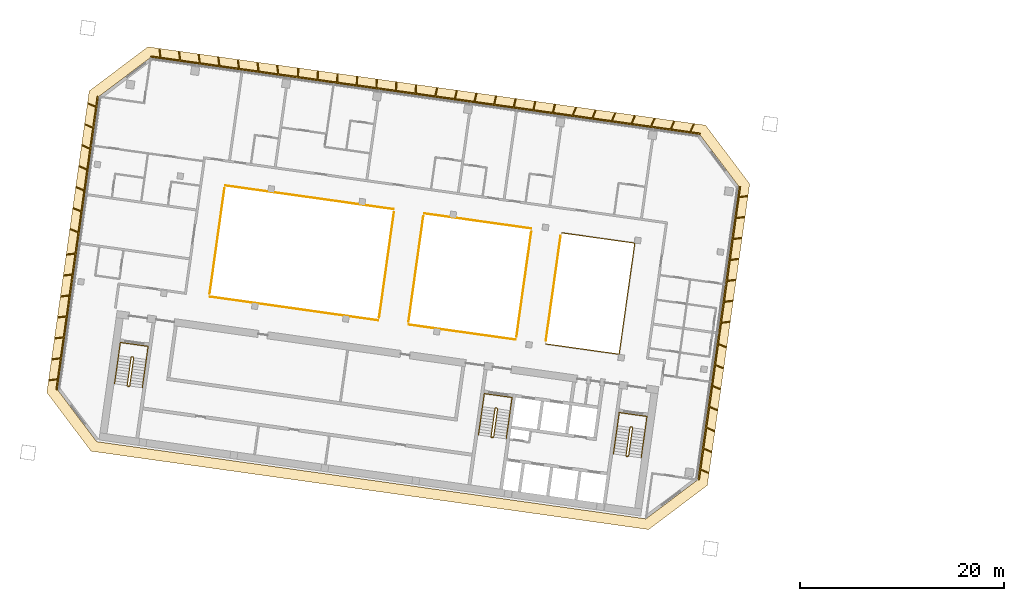
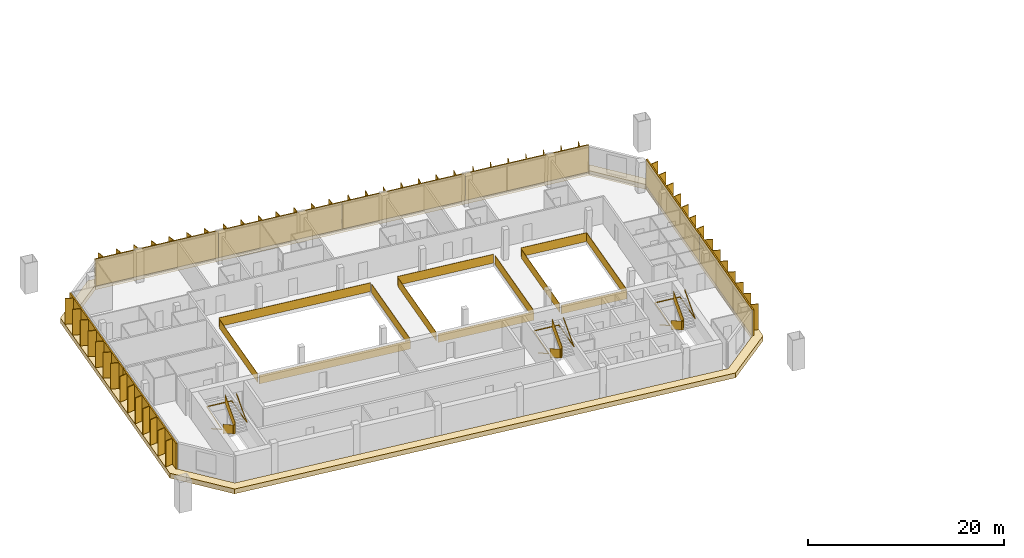
# One storey, part 25 of 26: 16 railings, 8 shading devices, 1 covering.
"""IFC4 building model written with IfcOpenShell, lengths in metres."""

from ifc_helpers import new_model, si_unit, direction, frame, origin, origin_2d, place, context, subcontext, project, spatial, polyline, rectangle, outline, extrude, material, layer, layer_set, type_object, element, save


model = new_model("IFC4")

# Units and contexts
model_context = context("Model", 3, precision=1e-05, world=origin(), true_north=direction((0.0, 1.0)))
body_context = subcontext(model_context, "Body", "Model", "MODEL_VIEW")
ifc_project = project(units=[si_unit("LENGTHUNIT", "METRE"), si_unit("AREAUNIT", "SQUARE_METRE"), si_unit("VOLUMEUNIT", "CUBIC_METRE"), si_unit("PLANEANGLEUNIT", "RADIAN"), si_unit("MASSUNIT", "GRAM", prefix="KILO")], contexts=[model_context])

# Site, building, storey
site_placement = place(None, origin())
site = spatial("IfcSite", under=ifc_project, at=site_placement, CompositionType="ELEMENT")
building_placement = place(site_placement, origin())
building = spatial("IfcBuilding", under=site, at=building_placement, Name="Mirante Cascada Hotel Towers", CompositionType="ELEMENT")
storey_placement = place(building_placement, frame((0.0, 0.0, 168.8)))
storey = spatial("IfcBuildingStorey", under=building, at=storey_placement, Name="L39", CompositionType="ELEMENT", Elevation=168.8)

# Railings
ifc_material_1 = material(Name="Toughened glass with stainless steel handrail", Category="steel")
railing_type_1 = type_object("IfcRailingType", Name="Atrium guard 1100 glass balustrade", PredefinedType="GUARDRAIL", material=ifc_material_1)
railing_1_placement = place(storey_placement, frame((-45.0309, 7.7871, 0.0)))
element("IfcRailing", 1, at=railing_1_placement, inside=storey, type_object=railing_type_1, Name="GUARD 1-L39-1", PredefinedType="GUARDRAIL", context=body_context, shape_type="SweptSolid", body=[
    extrude(rectangle(XDim=0.048, YDim=0.048, at=origin_2d()), frame((0.0, 0.0, 1.076), z_axis=(0.990269, -0.1391665, 0.0), x_axis=(0.1391665, 0.990269, 0.0)), (0.0, 0.0, 1.0), 7.2467),
    extrude(rectangle(XDim=0.02, YDim=1.052, at=origin_2d()), frame((0.0, 0.0, 0.526), z_axis=(0.990269, -0.1391665, 0.0), x_axis=(0.1391665, 0.990269, 0.0)), (0.0, 0.0, 1.0), 7.2467),
    extrude(rectangle(XDim=0.048, YDim=0.048, at=origin_2d()), frame((7.1762, -1.0085, 1.076), z_axis=(-0.1391721, -0.9902682, 0.0), x_axis=(0.9902682, -0.1391721, 0.0)), (0.0, 0.0, 1.0), 11.0001),
    extrude(rectangle(XDim=0.02, YDim=1.052, at=origin_2d()), frame((7.1762, -1.0085, 0.526), z_axis=(-0.1391721, -0.9902682, 0.0), x_axis=(0.9902682, -0.1391721, 0.0)), (0.0, 0.0, 1.0), 11.0001),
    extrude(rectangle(XDim=0.048, YDim=0.048, at=origin_2d()), frame((5.6453, -11.9015, 1.076), z_axis=(-0.9902671, 0.13918, 0.0), x_axis=(-0.13918, -0.9902671, 0.0)), (0.0, 0.0, 1.0), 7.2467),
    extrude(rectangle(XDim=0.02, YDim=1.052, at=origin_2d()), frame((5.6453, -11.9015, 0.526), z_axis=(-0.9902671, 0.13918, 0.0), x_axis=(-0.13918, -0.9902671, 0.0)), (0.0, 0.0, 1.0), 7.2467),
])
railing_2_placement = place(storey_placement, frame((-49.5326, -2.6883, 0.0)))
element("IfcRailing", 2, at=railing_2_placement, inside=storey, type_object=railing_type_1, Name="GUARD 1-L39-2", PredefinedType="GUARDRAIL", context=body_context, shape_type="SweptSolid", body=[
    extrude(rectangle(XDim=0.048, YDim=0.048, at=origin_2d()), frame((0.0, 0.0, 1.076), z_axis=(-0.9902676, 0.1391764, 0.0), x_axis=(-0.1391764, -0.9902676, 0.0)), (0.0, 0.0, 1.0), 10.5844),
    extrude(rectangle(XDim=0.02, YDim=1.052, at=origin_2d()), frame((0.0, 0.0, 0.526), z_axis=(-0.9902676, 0.1391764, 0.0), x_axis=(-0.1391764, -0.9902676, 0.0)), (0.0, 0.0, 1.0), 10.5844),
])
railing_3_placement = place(storey_placement, frame((-58.4831, 9.6777, 0.0)))
element("IfcRailing", 3, at=railing_3_placement, inside=storey, type_object=railing_type_1, Name="GUARD 1-L39-3", PredefinedType="GUARDRAIL", context=body_context, shape_type="SweptSolid", body=[
    extrude(rectangle(XDim=0.048, YDim=0.048, at=origin_2d()), frame((0.0, 0.0, 1.076), z_axis=(0.9902689, -0.1391671, 0.0), x_axis=(0.1391671, 0.9902689, 0.0)), (0.0, 0.0, 1.0), 10.5844),
    extrude(rectangle(XDim=0.02, YDim=1.052, at=origin_2d()), frame((0.0, 0.0, 0.526), z_axis=(0.9902689, -0.1391671, 0.0), x_axis=(0.1391671, 0.9902689, 0.0)), (0.0, 0.0, 1.0), 10.5844),
])
railing_4_placement = place(storey_placement, frame((-62.9849, -0.7977, 0.0)))
element("IfcRailing", 4, at=railing_4_placement, inside=storey, type_object=railing_type_1, Name="GUARD 1-L39-4", PredefinedType="GUARDRAIL", context=body_context, shape_type="SweptSolid", body=[
    extrude(rectangle(XDim=0.048, YDim=0.048, at=origin_2d()), frame((0.0, 0.0, 1.076), z_axis=(1.0, 0.0, 0.0), x_axis=(0.0, 1.0, 0.0)), (0.0, 0.0, 1.0), 0.0001),
    extrude(rectangle(XDim=0.02, YDim=1.052, at=origin_2d()), frame((0.0, 0.0, 0.526), z_axis=(1.0, 0.0, 0.0), x_axis=(0.0, 1.0, 0.0)), (0.0, 0.0, 1.0), 0.0001),
    extrude(rectangle(XDim=0.048, YDim=0.048, at=origin_2d()), frame((0.0001, 0.0, 1.076), z_axis=(-0.9902678, 0.1391751, 0.0), x_axis=(-0.1391751, -0.9902678, 0.0)), (0.0, 0.0, 1.0), 16.6689),
    extrude(rectangle(XDim=0.02, YDim=1.052, at=origin_2d()), frame((0.0001, 0.0, 0.526), z_axis=(-0.9902678, 0.1391751, 0.0), x_axis=(-0.1391751, -0.9902678, 0.0)), (0.0, 0.0, 1.0), 16.6689),
    extrude(rectangle(XDim=0.048, YDim=0.048, at=origin_2d()), frame((-16.5066, 2.3199, 1.076), z_axis=(0.9901262, -0.1401792, 0.0), x_axis=(0.1401792, 0.9901262, 0.0)), (0.0, 0.0, 1.0), 0.0564),
    extrude(rectangle(XDim=0.02, YDim=1.052, at=origin_2d()), frame((-16.5066, 2.3199, 0.526), z_axis=(0.9901262, -0.1401792, 0.0), x_axis=(0.1401792, 0.9901262, 0.0)), (0.0, 0.0, 1.0), 0.0564),
])
railing_5_placement = place(storey_placement, frame((-77.9048, 12.4073, 0.0)))
element("IfcRailing", 5, at=railing_5_placement, inside=storey, type_object=railing_type_1, Name="GUARD 1-L39-5", PredefinedType="GUARDRAIL", context=body_context, shape_type="SweptSolid", body=[
    extrude(rectangle(XDim=0.048, YDim=0.048, at=origin_2d()), frame((0.0, 0.0, 1.076), z_axis=(-0.990371, 0.138439, 0.0), x_axis=(-0.138439, -0.990371, 0.0)), (0.0, 0.0, 1.0), 0.0563),
    extrude(rectangle(XDim=0.02, YDim=1.052, at=origin_2d()), frame((0.0, 0.0, 0.526), z_axis=(-0.990371, 0.138439, 0.0), x_axis=(-0.138439, -0.990371, 0.0)), (0.0, 0.0, 1.0), 0.0563),
    extrude(rectangle(XDim=0.048, YDim=0.048, at=origin_2d()), frame((-0.0558, 0.0078, 1.076), z_axis=(0.9902686, -0.1391693, 0.0), x_axis=(0.1391693, 0.9902686, 0.0)), (0.0, 0.0, 1.0), 16.6689),
    extrude(rectangle(XDim=0.02, YDim=1.052, at=origin_2d()), frame((-0.0558, 0.0078, 0.526), z_axis=(0.9902686, -0.1391693, 0.0), x_axis=(0.1391693, 0.9902686, 0.0)), (0.0, 0.0, 1.0), 16.6689),
    extrude(rectangle(XDim=0.048, YDim=0.048, at=origin_2d()), frame((16.4509, -2.312, 1.076), z_axis=(-1.0, 0.0, 0.0), x_axis=(0.0, -1.0, 0.0)), (0.0, 0.0, 1.0), 0.0001),
    extrude(rectangle(XDim=0.02, YDim=1.052, at=origin_2d()), frame((16.4509, -2.312, 0.526), z_axis=(-1.0, 0.0, 0.0), x_axis=(0.0, -1.0, 0.0)), (0.0, 0.0, 1.0), 0.0001),
])
railing_6_placement = place(storey_placement, frame((-78.0512, 12.1295, 0.0)))
element("IfcRailing", 6, at=railing_6_placement, inside=storey, type_object=railing_type_1, Name="GUARD 1-L39-6", PredefinedType="GUARDRAIL", context=body_context, shape_type="SweptSolid", body=[
    extrude(rectangle(XDim=0.048, YDim=0.048, at=origin_2d()), frame((0.0, 0.0, 1.076), z_axis=(-0.1391762, -0.9902676, 0.0), x_axis=(0.9902676, -0.1391762, 0.0)), (0.0, 0.0, 1.0), 10.4091),
    extrude(rectangle(XDim=0.02, YDim=1.052, at=origin_2d()), frame((0.0, 0.0, 0.526), z_axis=(-0.1391762, -0.9902676, 0.0), x_axis=(0.9902676, -0.1391762, 0.0)), (0.0, 0.0, 1.0), 10.4091),
])
railing_7_placement = place(storey_placement, frame((-62.8951, -0.5118, 0.0)))
element("IfcRailing", 7, at=railing_7_placement, inside=storey, type_object=railing_type_1, Name="GUARD 1-L39-7", PredefinedType="GUARDRAIL", context=body_context, shape_type="SweptSolid", body=[
    extrude(rectangle(XDim=0.048, YDim=0.048, at=origin_2d()), frame((0.0, 0.0, 1.076), z_axis=(0.1391708, 0.9902684, 0.0), x_axis=(-0.9902684, 0.1391708, 0.0)), (0.0, 0.0, 1.0), 10.4088),
    extrude(rectangle(XDim=0.02, YDim=1.052, at=origin_2d()), frame((0.0, 0.0, 0.526), z_axis=(0.1391708, 0.9902684, 0.0), x_axis=(-0.9902684, 0.1391708, 0.0)), (0.0, 0.0, 1.0), 10.4088),
])
railing_8_placement = place(storey_placement, frame((-58.5728, 9.3918, 0.0)))
element("IfcRailing", 8, at=railing_8_placement, inside=storey, type_object=railing_type_1, Name="GUARD 1-L39-8", PredefinedType="GUARDRAIL", context=body_context, shape_type="SweptSolid", body=[
    extrude(rectangle(XDim=0.048, YDim=0.048, at=origin_2d()), frame((0.0, 0.0, 1.076), z_axis=(-0.1391721, -0.9902682, 0.0), x_axis=(0.9902682, -0.1391721, 0.0)), (0.0, 0.0, 1.0), 10.4087),
    extrude(rectangle(XDim=0.02, YDim=1.052, at=origin_2d()), frame((0.0, 0.0, 0.526), z_axis=(-0.1391721, -0.9902682, 0.0), x_axis=(0.9902682, -0.1391721, 0.0)), (0.0, 0.0, 1.0), 10.4087),
])
railing_9_placement = place(storey_placement, frame((-49.4429, -2.4023, 0.0)))
element("IfcRailing", 9, at=railing_9_placement, inside=storey, type_object=railing_type_1, Name="GUARD 1-L39-9", PredefinedType="GUARDRAIL", context=body_context, shape_type="SweptSolid", body=[
    extrude(rectangle(XDim=0.048, YDim=0.048, at=origin_2d()), frame((0.0, 0.0, 1.076), z_axis=(0.1391721, 0.9902682, 0.0), x_axis=(-0.9902682, 0.1391721, 0.0)), (0.0, 0.0, 1.0), 10.4087),
    extrude(rectangle(XDim=0.02, YDim=1.052, at=origin_2d()), frame((0.0, 0.0, 0.526), z_axis=(0.1391721, 0.9902682, 0.0), x_axis=(-0.9902682, 0.1391721, 0.0)), (0.0, 0.0, 1.0), 10.4087),
])
railing_10_placement = place(storey_placement, frame((-45.1206, 7.5012, 0.0)))
element("IfcRailing", 10, at=railing_10_placement, inside=storey, type_object=railing_type_1, Name="GUARD 1-L39-10", PredefinedType="GUARDRAIL", context=body_context, shape_type="SweptSolid", body=[
    extrude(rectangle(XDim=0.048, YDim=0.048, at=origin_2d()), frame((0.0, 0.0, 1.076), z_axis=(-0.1391721, -0.9902682, 0.0), x_axis=(0.9902682, -0.1391721, 0.0)), (0.0, 0.0, 1.0), 10.4087),
    extrude(rectangle(XDim=0.02, YDim=1.052, at=origin_2d()), frame((0.0, 0.0, 0.526), z_axis=(-0.1391721, -0.9902682, 0.0), x_axis=(0.9902682, -0.1391721, 0.0)), (0.0, 0.0, 1.0), 10.4087),
])

# Covering
ifc_material_2 = material(Name="Precast concrete C40/50 white", Category="concrete")
ifc_layer = layer(ifc_material_2, 0.6)
ifc_layer_set = layer_set([ifc_layer], Name="Precast concrete SUNSHADE band 1000x600")
covering_type = type_object("IfcCoveringType", Name="Precast concrete SUNSHADE band 1000x600", PredefinedType="CLADDING", material=ifc_layer_set)
covering_placement = place(storey_placement, frame((0.0, 0.0, -0.45)))
element("IfcCovering", 11, at=covering_placement, inside=storey, type_object=covering_type, Name="Precast concrete SUNSHADE band T1 L39", PredefinedType="CLADDING", context=body_context, shape_type="SweptSolid", body=[
    extrude(outline(polyline([(-95.4528, -7.862), (-91.3015, 21.6761), (-85.5574, 26.0046), (-30.9282, 18.327), (-26.5997, 12.5829), (-30.751, -16.9552), (-36.4951, -21.2837), (-91.1243, -13.6061), (-95.4528, -7.862)]), holes=[polyline([(-27.6476, 12.3119), (-31.4775, 17.3944), (-85.2864, 24.9567), (-90.3689, 21.1268), (-94.4049, -7.591), (-90.575, -12.6735), (-36.7661, -20.2358), (-31.6836, -16.4059), (-27.6476, 12.3119)])]), origin(), (0.0, 0.0, 1.0), 0.6),
])

# Railings
ifc_material_3 = material(Name="Painted steel", Category="steel")
railing_type_2 = type_object("IfcRailingType", Name="Stair guard 1100 steel balustrade", PredefinedType="GUARDRAIL", material=ifc_material_3)
railing_11_placement = place(storey_placement, frame((-38.1178, -11.2603, 0.0)))
element("IfcRailing", 12, at=railing_11_placement, inside=storey, type_object=railing_type_2, Name="L39 ST1-A stair guard 1", PredefinedType="GUARDRAIL", context=body_context, shape_type="SweptSolid", body=[
    extrude(rectangle(XDim=0.048, YDim=0.048, at=origin_2d()), frame((0.0, 0.0, 1.076), z_axis=(-0.9903326, 0.1387133, 0.0), x_axis=(-0.1387133, -0.9903326, 0.0)), (0.0, 0.0, 1.0), 0.1499),
    extrude(rectangle(XDim=0.02, YDim=1.052, at=origin_2d()), frame((0.0, 0.0, 0.526), z_axis=(-0.9903326, 0.1387133, 0.0), x_axis=(-0.1387133, -0.9903326, 0.0)), (0.0, 0.0, 1.0), 0.1499),
    extrude(rectangle(XDim=0.048, YDim=0.048, at=origin_2d()), frame((-0.1485, 0.0208, 1.076), z_axis=(-0.7991505, -0.6011309, 0.0), x_axis=(0.6011309, -0.7991505, 0.0)), (0.0, 0.9254529, 0.3788627), 0.1866),
    extrude(rectangle(XDim=0.02, YDim=1.052, at=origin_2d()), frame((-0.1485, 0.0208, 0.526), z_axis=(-0.7991505, -0.6011309, 0.0), x_axis=(0.6011309, -0.7991505, 0.0)), (0.0, 0.9254529, 0.3788627), 0.1866),
    extrude(rectangle(XDim=0.048, YDim=0.048, at=origin_2d()), frame((-0.205, -0.0217, 1.2487), z_axis=(-0.139176, -0.9902677, 0.0), x_axis=(0.9902677, -0.139176, 0.0)), (0.0, 0.5250212, 0.8510891), 3.29),
    extrude(rectangle(XDim=0.02, YDim=1.052, at=origin_2d()), frame((-0.205, -0.0217, 0.6987), z_axis=(-0.139176, -0.9902677, 0.0), x_axis=(0.9902677, -0.139176, 0.0)), (0.0, 0.5250212, 0.8510891), 3.29),
    extrude(rectangle(XDim=0.048, YDim=0.048, at=origin_2d()), frame((-0.5947, -2.7945, 2.976), z_axis=(0.9270311, -0.3749843, 0.0), x_axis=(0.3749843, 0.9270311, 0.0)), (0.0, 0.0, 1.0), 0.2061),
    extrude(rectangle(XDim=0.02, YDim=1.052, at=origin_2d()), frame((-0.5947, -2.7945, 2.426), z_axis=(0.9270311, -0.3749843, 0.0), x_axis=(0.3749843, 0.9270311, 0.0)), (0.0, 0.0, 1.0), 0.2061),
    extrude(rectangle(XDim=0.048, YDim=0.048, at=origin_2d()), frame((-0.4036, -2.8718, 2.976), z_axis=(-0.9902408, 0.1393672, 0.0), x_axis=(-0.1393672, -0.9902408, 0.0)), (0.0, 0.0, 1.0), 0.15),
    extrude(rectangle(XDim=0.02, YDim=1.052, at=origin_2d()), frame((-0.4036, -2.8718, 2.426), z_axis=(-0.9902408, 0.1393672, 0.0), x_axis=(-0.1393672, -0.9902408, 0.0)), (0.0, 0.0, 1.0), 0.15),
    extrude(rectangle(XDim=0.048, YDim=0.048, at=origin_2d()), frame((-0.5521, -2.8509, 2.976), z_axis=(0.9944948, 0.1047858, 0.0), x_axis=(-0.1047858, 0.9944948, 0.0)), (0.0, 0.6422034, 0.7665343), 0.2689),
    extrude(rectangle(XDim=0.02, YDim=1.052, at=origin_2d()), frame((-0.5521, -2.8509, 2.426), z_axis=(0.9944948, 0.1047858, 0.0), x_axis=(-0.1047858, 0.9944948, 0.0)), (0.0, 0.6422034, 0.7665343), 0.2689),
    extrude(rectangle(XDim=0.048, YDim=0.048, at=origin_2d()), frame((-0.3471, -2.8293, 3.1487), z_axis=(0.139176, 0.9902677, 0.0), x_axis=(-0.9902677, 0.139176, 0.0)), (0.0, 0.5250212, 0.8510891), 3.29),
    extrude(rectangle(XDim=0.02, YDim=1.052, at=origin_2d()), frame((-0.3471, -2.8293, 2.5987), z_axis=(0.139176, 0.9902677, 0.0), x_axis=(-0.9902677, 0.139176, 0.0)), (0.0, 0.5250212, 0.8510891), 3.29),
])
railing_12_placement = place(storey_placement, frame((-51.3379, -9.4024, 0.0)))
element("IfcRailing", 13, at=railing_12_placement, inside=storey, type_object=railing_type_2, Name="L39 ST1-B stair guard 1", PredefinedType="GUARDRAIL", context=body_context, shape_type="SweptSolid", body=[
    extrude(rectangle(XDim=0.048, YDim=0.048, at=origin_2d()), frame((0.0, 0.0, 1.076), z_axis=(-0.9902408, 0.1393672, 0.0), x_axis=(-0.1393672, -0.9902408, 0.0)), (0.0, 0.0, 1.0), 0.15),
    extrude(rectangle(XDim=0.02, YDim=1.052, at=origin_2d()), frame((0.0, 0.0, 0.526), z_axis=(-0.9902408, 0.1393672, 0.0), x_axis=(-0.1393672, -0.9902408, 0.0)), (0.0, 0.0, 1.0), 0.15),
    extrude(rectangle(XDim=0.048, YDim=0.048, at=origin_2d()), frame((-0.1485, 0.0209, 1.076), z_axis=(-0.7984711, -0.6020331, 0.0), x_axis=(0.6020331, -0.7984711, 0.0)), (0.0, 0.9253398, 0.3791387), 0.1866),
    extrude(rectangle(XDim=0.02, YDim=1.052, at=origin_2d()), frame((-0.1485, 0.0209, 0.526), z_axis=(-0.7984711, -0.6020331, 0.0), x_axis=(0.6020331, -0.7984711, 0.0)), (0.0, 0.9253398, 0.3791387), 0.1866),
    extrude(rectangle(XDim=0.048, YDim=0.048, at=origin_2d()), frame((-0.205, -0.0217, 1.2487), z_axis=(-0.139181, -0.990267, 0.0), x_axis=(0.990267, -0.139181, 0.0)), (0.0, 0.5250347, 0.8510808), 3.2899),
    extrude(rectangle(XDim=0.02, YDim=1.052, at=origin_2d()), frame((-0.205, -0.0217, 0.6987), z_axis=(-0.139181, -0.990267, 0.0), x_axis=(0.990267, -0.139181, 0.0)), (0.0, 0.5250347, 0.8510808), 3.2899),
    extrude(rectangle(XDim=0.048, YDim=0.048, at=origin_2d()), frame((-0.5947, -2.7944, 2.976), z_axis=(0.9268624, -0.3754011, 0.0), x_axis=(0.3754011, 0.9268624, 0.0)), (0.0, 0.0, 1.0), 0.2062),
    extrude(rectangle(XDim=0.02, YDim=1.052, at=origin_2d()), frame((-0.5947, -2.7944, 2.426), z_axis=(0.9268624, -0.3754011, 0.0), x_axis=(0.3754011, 0.9268624, 0.0)), (0.0, 0.0, 1.0), 0.2062),
    extrude(rectangle(XDim=0.048, YDim=0.048, at=origin_2d()), frame((-0.4036, -2.8718, 2.976), z_axis=(-0.9902408, 0.1393672, 0.0), x_axis=(-0.1393672, -0.9902408, 0.0)), (0.0, 0.0, 1.0), 0.15),
    extrude(rectangle(XDim=0.02, YDim=1.052, at=origin_2d()), frame((-0.4036, -2.8718, 2.426), z_axis=(-0.9902408, 0.1393672, 0.0), x_axis=(-0.1393672, -0.9902408, 0.0)), (0.0, 0.0, 1.0), 0.15),
    extrude(rectangle(XDim=0.048, YDim=0.048, at=origin_2d()), frame((-0.5521, -2.8509, 2.976), z_axis=(0.9944441, 0.1052656, 0.0), x_axis=(-0.1052656, 0.9944441, 0.0)), (0.0, 0.6421842, 0.7665504), 0.2689),
    extrude(rectangle(XDim=0.02, YDim=1.052, at=origin_2d()), frame((-0.5521, -2.8509, 2.426), z_axis=(0.9944441, 0.1052656, 0.0), x_axis=(-0.1052656, 0.9944441, 0.0)), (0.0, 0.6421842, 0.7665504), 0.2689),
    extrude(rectangle(XDim=0.048, YDim=0.048, at=origin_2d()), frame((-0.3471, -2.8292, 3.1487), z_axis=(0.139181, 0.990267, 0.0), x_axis=(-0.990267, 0.139181, 0.0)), (0.0, 0.5250347, 0.8510808), 3.2899),
    extrude(rectangle(XDim=0.02, YDim=1.052, at=origin_2d()), frame((-0.3471, -2.8292, 2.5987), z_axis=(0.139181, 0.990267, 0.0), x_axis=(-0.990267, 0.139181, 0.0)), (0.0, 0.5250347, 0.8510808), 3.2899),
])
railing_13_placement = place(storey_placement, frame((-86.9875, -4.3922, 0.0)))
element("IfcRailing", 14, at=railing_13_placement, inside=storey, type_object=railing_type_2, Name="L39 ST1-C stair guard 1", PredefinedType="GUARDRAIL", context=body_context, shape_type="SweptSolid", body=[
    extrude(rectangle(XDim=0.048, YDim=0.048, at=origin_2d()), frame((0.0, 0.0, 1.076), z_axis=(-0.9902537, 0.1392753, 0.0), x_axis=(-0.1392753, -0.9902537, 0.0)), (0.0, 0.0, 1.0), 0.1501),
    extrude(rectangle(XDim=0.02, YDim=1.052, at=origin_2d()), frame((0.0, 0.0, 0.526), z_axis=(-0.9902537, 0.1392753, 0.0), x_axis=(-0.1392753, -0.9902537, 0.0)), (0.0, 0.0, 1.0), 0.1501),
    extrude(rectangle(XDim=0.048, YDim=0.048, at=origin_2d()), frame((-0.1486, 0.0209, 1.076), z_axis=(-0.7986386, -0.601811, 0.0), x_axis=(0.601811, -0.7986386, 0.0)), (0.0, 0.925603, 0.3784959), 0.1866),
    extrude(rectangle(XDim=0.02, YDim=1.052, at=origin_2d()), frame((-0.1486, 0.0209, 0.526), z_axis=(-0.7986386, -0.601811, 0.0), x_axis=(0.601811, -0.7986386, 0.0)), (0.0, 0.925603, 0.3784959), 0.1866),
    extrude(rectangle(XDim=0.048, YDim=0.048, at=origin_2d()), frame((-0.205, -0.0216, 1.2487), z_axis=(-0.139176, -0.9902677, 0.0), x_axis=(0.9902677, -0.139176, 0.0)), (0.0, 0.5250212, 0.8510891), 3.29),
    extrude(rectangle(XDim=0.02, YDim=1.052, at=origin_2d()), frame((-0.205, -0.0216, 0.6987), z_axis=(-0.139176, -0.9902677, 0.0), x_axis=(0.9902677, -0.139176, 0.0)), (0.0, 0.5250212, 0.8510891), 3.29),
    extrude(rectangle(XDim=0.048, YDim=0.048, at=origin_2d()), frame((-0.5947, -2.7944, 2.976), z_axis=(0.9270311, -0.3749843, 0.0), x_axis=(0.3749843, 0.9270311, 0.0)), (0.0, 0.0, 1.0), 0.2061),
    extrude(rectangle(XDim=0.02, YDim=1.052, at=origin_2d()), frame((-0.5947, -2.7944, 2.426), z_axis=(0.9270311, -0.3749843, 0.0), x_axis=(0.3749843, 0.9270311, 0.0)), (0.0, 0.0, 1.0), 0.2061),
    extrude(rectangle(XDim=0.048, YDim=0.048, at=origin_2d()), frame((-0.4036, -2.8717, 2.976), z_axis=(-0.9903454, 0.1386217, 0.0), x_axis=(-0.1386217, -0.9903454, 0.0)), (0.0, 0.0, 1.0), 0.15),
    extrude(rectangle(XDim=0.02, YDim=1.052, at=origin_2d()), frame((-0.4036, -2.8717, 2.426), z_axis=(-0.9903454, 0.1386217, 0.0), x_axis=(-0.1386217, -0.9903454, 0.0)), (0.0, 0.0, 1.0), 0.15),
    extrude(rectangle(XDim=0.048, YDim=0.048, at=origin_2d()), frame((-0.5522, -2.8509, 2.976), z_axis=(0.9944441, 0.1052656, 0.0), x_axis=(-0.1052656, 0.9944441, 0.0)), (0.0, 0.6421842, 0.7665504), 0.2689),
    extrude(rectangle(XDim=0.02, YDim=1.052, at=origin_2d()), frame((-0.5522, -2.8509, 2.426), z_axis=(0.9944441, 0.1052656, 0.0), x_axis=(-0.1052656, 0.9944441, 0.0)), (0.0, 0.6421842, 0.7665504), 0.2689),
    extrude(rectangle(XDim=0.048, YDim=0.048, at=origin_2d()), frame((-0.3472, -2.8292, 3.1487), z_axis=(0.139176, 0.9902677, 0.0), x_axis=(-0.9902677, 0.139176, 0.0)), (0.0, 0.5250212, 0.8510891), 3.29),
    extrude(rectangle(XDim=0.02, YDim=1.052, at=origin_2d()), frame((-0.3472, -2.8292, 2.5987), z_axis=(0.139176, 0.9902677, 0.0), x_axis=(-0.9902677, 0.139176, 0.0)), (0.0, 0.5250212, 0.8510891), 3.29),
])
ifc_material_4 = material(Name="Painted steel", Category="steel")
railing_type_3 = type_object("IfcRailingType", Name="Stair handrail 900 steel tube", PredefinedType="HANDRAIL", material=ifc_material_4)
railing_14_placement = place(storey_placement, frame((-39.5606, -11.1081, 0.1727)))
element("IfcRailing", 15, at=railing_14_placement, inside=storey, type_object=railing_type_3, Name="L39 ST1-A stair handrail 1", PredefinedType="HANDRAIL", context=body_context, shape_type="SweptSolid", body=[
    extrude(rectangle(XDim=0.048, YDim=0.048, at=origin_2d()), frame((0.0, 0.0, 0.876), z_axis=(-0.139181, -0.990267, 0.0), x_axis=(0.990267, -0.139181, 0.0)), (0.0, 0.5250347, 0.8510808), 3.2899),
    extrude(rectangle(XDim=0.048, YDim=0.048, at=origin_2d()), frame((-0.3897, -2.7727, 2.6033), z_axis=(0.1391707, 0.9902684, 0.0), x_axis=(-0.9902684, 0.1391707, 0.0)), (0.0, 0.0420846, 0.999114), 4.1036),
    extrude(rectangle(XDim=0.048, YDim=0.048, at=origin_2d()), frame((0.1809, 1.2874, 2.776), z_axis=(0.9902691, -0.1391657, 0.0), x_axis=(0.1391657, 0.9902691, 0.0)), (0.0, 0.0, 1.0), 2.75),
    extrude(rectangle(XDim=0.048, YDim=0.048, at=origin_2d()), frame((2.9041, 0.9047, 2.776), z_axis=(-0.1391707, -0.9902684, 0.0), x_axis=(0.9902684, -0.1391707, 0.0)), (0.0, 0.0, 1.0), 4.1),
    extrude(rectangle(XDim=0.048, YDim=0.048, at=origin_2d()), frame((2.3335, -3.1554, 2.776), z_axis=(0.139181, 0.990267, 0.0), x_axis=(-0.990267, 0.139181, 0.0)), (0.0, 0.5250347, 0.8510808), 3.2899),
])
railing_15_placement = place(storey_placement, frame((-52.7807, -9.2501, 0.1727)))
element("IfcRailing", 16, at=railing_15_placement, inside=storey, type_object=railing_type_3, Name="L39 ST1-B stair handrail 1", PredefinedType="HANDRAIL", context=body_context, shape_type="SweptSolid", body=[
    extrude(rectangle(XDim=0.048, YDim=0.048, at=origin_2d()), frame((0.0, 0.0, 0.876), z_axis=(-0.139181, -0.990267, 0.0), x_axis=(0.990267, -0.139181, 0.0)), (0.0, 0.5250347, 0.8510808), 3.2899),
    extrude(rectangle(XDim=0.048, YDim=0.048, at=origin_2d()), frame((-0.3897, -2.7727, 2.6033), z_axis=(0.1391707, 0.9902684, 0.0), x_axis=(-0.9902684, 0.1391707, 0.0)), (0.0, 0.0420846, 0.999114), 4.1036),
    extrude(rectangle(XDim=0.048, YDim=0.048, at=origin_2d()), frame((0.1809, 1.2874, 2.776), z_axis=(0.9902641, -0.1392013, 0.0), x_axis=(0.1392013, 0.9902641, 0.0)), (0.0, 0.0, 1.0), 2.75),
    extrude(rectangle(XDim=0.048, YDim=0.048, at=origin_2d()), frame((2.9041, 0.9046, 2.776), z_axis=(-0.1391707, -0.9902684, 0.0), x_axis=(0.9902684, -0.1391707, 0.0)), (0.0, 0.0, 1.0), 4.1),
    extrude(rectangle(XDim=0.048, YDim=0.048, at=origin_2d()), frame((2.3335, -3.1555, 2.776), z_axis=(0.139176, 0.9902677, 0.0), x_axis=(-0.9902677, 0.139176, 0.0)), (0.0, 0.5250212, 0.8510891), 3.29),
])
railing_16_placement = place(storey_placement, frame((-88.4304, -4.2399, 0.1727)))
element("IfcRailing", 17, at=railing_16_placement, inside=storey, type_object=railing_type_3, Name="L39 ST1-C stair handrail 1", PredefinedType="HANDRAIL", context=body_context, shape_type="SweptSolid", body=[
    extrude(rectangle(XDim=0.048, YDim=0.048, at=origin_2d()), frame((0.0, 0.0, 0.876), z_axis=(-0.139181, -0.990267, 0.0), x_axis=(0.990267, -0.139181, 0.0)), (0.0, 0.5250347, 0.8510808), 3.2899),
    extrude(rectangle(XDim=0.048, YDim=0.048, at=origin_2d()), frame((-0.3897, -2.7727, 2.6033), z_axis=(0.1391947, 0.990265, 0.0), x_axis=(-0.990265, 0.1391947, 0.0)), (0.0, 0.0420845, 0.9991141), 4.1036),
    extrude(rectangle(XDim=0.048, YDim=0.048, at=origin_2d()), frame((0.181, 1.2874, 2.776), z_axis=(0.9902691, -0.1391657, 0.0), x_axis=(0.1391657, 0.9902691, 0.0)), (0.0, 0.0, 1.0), 2.75),
    extrude(rectangle(XDim=0.048, YDim=0.048, at=origin_2d()), frame((2.9042, 0.9047, 2.776), z_axis=(-0.1391707, -0.9902684, 0.0), x_axis=(0.9902684, -0.1391707, 0.0)), (0.0, 0.0, 1.0), 4.1),
    extrude(rectangle(XDim=0.048, YDim=0.048, at=origin_2d()), frame((2.3336, -3.1554, 2.776), z_axis=(0.139181, 0.990267, 0.0), x_axis=(-0.990267, 0.139181, 0.0)), (0.0, 0.5250347, 0.8510808), 3.2899),
])

# Shading devices
ifc_material_5 = material(Name="White precast concrete C50/60 fin", Category="concrete")
shading_device_type = type_object("IfcShadingDeviceType", Name="Vertical fin set 4500x900", PredefinedType="USERDEFINED", material=ifc_material_5)
shading_device_1_placement = place(storey_placement, origin())
element("IfcShadingDevice", 18, at=shading_device_1_placement, inside=storey, type_object=shading_device_type, Name="FIN T1 L39 front 1", ObjectType="FIN", PredefinedType="USERDEFINED", context=body_context, shape_type="SweptSolid", body=[
    extrude(outline(polyline([(-72.7464, 23.3458), (-71.8133, 23.2147), (-71.8342, 23.0661), (-85.2864, 24.9567), (-85.2655, 25.1053), (-84.3589, 24.9778), (-84.461, 25.8091), (-84.3816, 25.8189), (-84.2769, 24.9663), (-82.4372, 24.7078), (-82.5392, 25.539), (-82.4598, 25.5488), (-82.3552, 24.6962), (-80.5154, 24.4377), (-80.6175, 25.269), (-80.5381, 25.2787), (-80.4334, 24.4262), (-78.5937, 24.1676), (-78.6958, 24.9989), (-78.6163, 25.0086), (-78.5117, 24.1561), (-76.6719, 23.8975), (-76.774, 24.7288), (-76.6946, 24.7385), (-76.5899, 23.886), (-74.7502, 23.6274), (-74.8523, 24.4587), (-74.7729, 24.4685), (-74.6682, 23.6159), (-72.8285, 23.3573), (-72.9305, 24.1886), (-72.8511, 24.1984), (-72.7464, 23.3458)])), origin(), (0.0, 0.0, 1.0), 3.35),
])
shading_device_2_placement = place(storey_placement, origin())
element("IfcShadingDevice", 19, at=shading_device_2_placement, inside=storey, type_object=shading_device_type, Name="FIN T1 L39 front 2", ObjectType="FIN", PredefinedType="USERDEFINED", context=body_context, shape_type="SweptSolid", body=[
    extrude(outline(polyline([(-59.2865, 21.4542), (-58.3611, 21.3241), (-58.382, 21.1755), (-71.8342, 23.0661), (-71.8133, 23.2147), (-70.8965, 23.0858), (-70.8522, 23.931), (-70.7723, 23.9268), (-70.817, 23.0747), (-68.9748, 22.8157), (-68.9305, 23.6609), (-68.8506, 23.6567), (-68.8953, 22.8046), (-67.053, 22.5457), (-67.0087, 23.3908), (-66.9289, 23.3866), (-66.9735, 22.5345), (-65.1313, 22.2756), (-65.087, 23.1207), (-65.0071, 23.1165), (-65.0518, 22.2644), (-63.2095, 22.0055), (-63.1653, 22.8506), (-63.0854, 22.8465), (-63.13, 21.9943), (-61.2878, 21.7354), (-61.2435, 22.5806), (-61.1636, 22.5764), (-61.2083, 21.7242), (-59.3661, 21.4653), (-59.3218, 22.3105), (-59.2419, 22.3063), (-59.2865, 21.4542)])), origin(), (0.0, 0.0, 1.0), 3.35),
])
shading_device_3_placement = place(storey_placement, origin())
element("IfcShadingDevice", 20, at=shading_device_3_placement, inside=storey, type_object=shading_device_type, Name="FIN T1 L39 front 3", ObjectType="FIN", PredefinedType="USERDEFINED", context=body_context, shape_type="SweptSolid", body=[
    extrude(outline(polyline([(-45.8257, 19.5623), (-44.9089, 19.4335), (-44.9297, 19.285), (-58.382, 21.1755), (-58.3611, 21.3241), (-57.4356, 21.194), (-57.2437, 22.0255), (-57.1657, 22.0075), (-57.3561, 21.1829), (-55.5139, 20.9239), (-55.3219, 21.7554), (-55.244, 21.7374), (-55.4344, 20.9128), (-53.5922, 20.6539), (-53.4002, 21.4853), (-53.3223, 21.4673), (-53.5126, 20.6427), (-51.6704, 20.3838), (-51.4785, 21.2152), (-51.4005, 21.1972), (-51.5909, 20.3726), (-49.7487, 20.1137), (-49.5567, 20.9451), (-49.4788, 20.9271), (-49.6691, 20.1025), (-47.8269, 19.8436), (-47.635, 20.675), (-47.557, 20.6571), (-47.7474, 19.8324), (-45.9052, 19.5735), (-45.7132, 20.405), (-45.6353, 20.387), (-45.8257, 19.5623)])), origin(), (0.0, 0.0, 1.0), 3.35),
])
shading_device_4_placement = place(storey_placement, origin())
element("IfcShadingDevice", 21, at=shading_device_4_placement, inside=storey, type_object=shading_device_type, Name="FIN T1 L39 front 4", ObjectType="FIN", PredefinedType="USERDEFINED", context=body_context, shape_type="SweptSolid", body=[
    extrude(outline(polyline([(-32.3633, 17.6703), (-31.4567, 17.5429), (-31.4775, 17.3944), (-44.9297, 19.285), (-44.9089, 19.4335), (-43.9757, 19.3024), (-43.6401, 20.093), (-43.5665, 20.0618), (-43.8937, 19.2908), (-42.054, 19.0323), (-41.7184, 19.8229), (-41.6447, 19.7917), (-41.972, 19.0208), (-40.1323, 18.7622), (-39.7966, 19.5529), (-39.723, 19.5216), (-40.0502, 18.7507), (-38.2105, 18.4921), (-37.8749, 19.2828), (-37.8012, 19.2515), (-38.1285, 18.4806), (-36.2888, 18.222), (-35.9531, 19.0127), (-35.8795, 18.9814), (-36.2067, 18.2105), (-34.367, 17.9519), (-34.0314, 18.7426), (-33.9578, 18.7114), (-34.285, 17.9404), (-32.4453, 17.6819), (-32.1097, 18.4725), (-32.036, 18.4413), (-32.3633, 17.6703)])), origin(), (0.0, 0.0, 1.0), 3.35),
])
shading_device_5_placement = place(storey_placement, origin())
element("IfcShadingDevice", 22, at=shading_device_5_placement, inside=storey, type_object=shading_device_type, Name="FIN T1 L39 inner 1", ObjectType="FIN", PredefinedType="USERDEFINED", context=body_context, shape_type="SweptSolid", body=[
    extrude(outline(polyline([(-29.3768, -1.07), (-29.5171, -2.0679), (-29.6656, -2.047), (-27.6476, 12.3119), (-27.4991, 12.291), (-27.6356, 11.3197), (-26.8043, 11.4217), (-26.7946, 11.3423), (-27.6471, 11.2376), (-27.9239, 9.2684), (-27.0926, 9.3705), (-27.0828, 9.2911), (-27.9354, 9.1864), (-28.2122, 7.2171), (-27.3809, 7.3192), (-27.3711, 7.2398), (-28.2237, 7.1351), (-28.5004, 5.1658), (-27.6692, 5.2679), (-27.6594, 5.1885), (-28.512, 5.0838), (-28.7887, 3.1146), (-27.9575, 3.2166), (-27.9477, 3.1372), (-28.8003, 3.0326), (-29.077, 1.0633), (-28.2457, 1.1654), (-28.236, 1.086), (-29.0885, 0.9813), (-29.3653, -0.988), (-28.534, -0.8859), (-28.5243, -0.9653), (-29.3768, -1.07)])), origin(), (0.0, 0.0, 1.0), 3.35),
])
shading_device_6_placement = place(storey_placement, origin())
element("IfcShadingDevice", 23, at=shading_device_6_placement, inside=storey, type_object=shading_device_type, Name="FIN T1 L39 inner 2", ObjectType="FIN", PredefinedType="USERDEFINED", context=body_context, shape_type="SweptSolid", body=[
    extrude(outline(polyline([(-31.3986, -15.4554), (-31.5351, -16.4268), (-31.6836, -16.4059), (-29.6656, -2.047), (-29.5171, -2.0679), (-29.6573, -3.0658), (-28.8667, -3.4014), (-28.8979, -3.475), (-29.6688, -3.1478), (-29.9456, -5.117), (-29.1549, -5.4527), (-29.1862, -5.5263), (-29.9571, -5.199), (-30.2339, -7.1683), (-29.4432, -7.5039), (-29.4745, -7.5776), (-30.2454, -7.2503), (-30.5222, -9.2196), (-29.7315, -9.5552), (-29.7628, -9.6288), (-30.5337, -9.3016), (-30.8105, -11.2708), (-30.0198, -11.6065), (-30.0511, -11.6801), (-30.822, -11.3529), (-31.0988, -13.3221), (-30.3081, -13.6577), (-30.3393, -13.7314), (-31.1103, -13.4041), (-31.387, -15.3734), (-30.5964, -15.709), (-30.6276, -15.7826), (-31.3986, -15.4554)])), origin(), (0.0, 0.0, 1.0), 3.35),
])
shading_device_7_placement = place(storey_placement, origin())
element("IfcShadingDevice", 24, at=shading_device_7_placement, inside=storey, type_object=shading_device_type, Name="FIN T1 L39 outer 1", ObjectType="FIN", PredefinedType="USERDEFINED", context=body_context, shape_type="SweptSolid", body=[
    extrude(outline(polyline([(-94.4054, -6.5167), (-94.1286, -4.5475), (-94.9599, -4.6495), (-94.9697, -4.5701), (-94.1171, -4.4655), (-93.8403, -2.4962), (-94.6716, -2.5983), (-94.6814, -2.5189), (-93.8288, -2.4142), (-93.5521, -0.4449), (-94.3833, -0.547), (-94.3931, -0.4676), (-93.5405, -0.3629), (-93.2638, 1.6063), (-94.095, 1.5043), (-94.1048, 1.5837), (-93.2522, 1.6883), (-92.9755, 3.6576), (-93.8068, 3.5555), (-93.8165, 3.6349), (-92.964, 3.7396), (-92.6872, 5.7089), (-93.5185, 5.6068), (-93.5282, 5.6862), (-92.6757, 5.7909), (-92.5354, 6.7888), (-92.3869, 6.7679), (-94.4049, -7.591), (-94.5534, -7.5701), (-94.4169, -6.5987), (-95.2482, -6.7008), (-95.2579, -6.6214), (-94.4054, -6.5167)])), origin(), (0.0, 0.0, 1.0), 3.35),
])
shading_device_8_placement = place(storey_placement, origin())
element("IfcShadingDevice", 25, at=shading_device_8_placement, inside=storey, type_object=shading_device_type, Name="FIN T1 L39 outer 2", ObjectType="FIN", PredefinedType="USERDEFINED", context=body_context, shape_type="SweptSolid", body=[
    extrude(outline(polyline([(-92.3837, 7.8687), (-92.1069, 9.8379), (-92.8976, 10.1736), (-92.8663, 10.2472), (-92.0954, 9.92), (-91.8186, 11.8892), (-92.6093, 12.2248), (-92.578, 12.2985), (-91.8071, 11.9712), (-91.5303, 13.9405), (-92.321, 14.2761), (-92.2897, 14.3497), (-91.5188, 14.0225), (-91.242, 15.9918), (-92.0327, 16.3274), (-92.0014, 16.401), (-91.2305, 16.0738), (-90.9537, 18.043), (-91.7444, 18.3786), (-91.7132, 18.4523), (-90.9422, 18.125), (-90.6655, 20.0943), (-91.4561, 20.4299), (-91.4249, 20.5036), (-90.6539, 20.1763), (-90.5174, 21.1477), (-90.3689, 21.1268), (-92.3869, 6.7679), (-92.5354, 6.7888), (-92.3952, 7.7867), (-93.1859, 8.1223), (-93.1546, 8.1959), (-92.3837, 7.8687)])), origin(), (0.0, 0.0, 1.0), 3.35),
])

save(model, "model.ifc")
